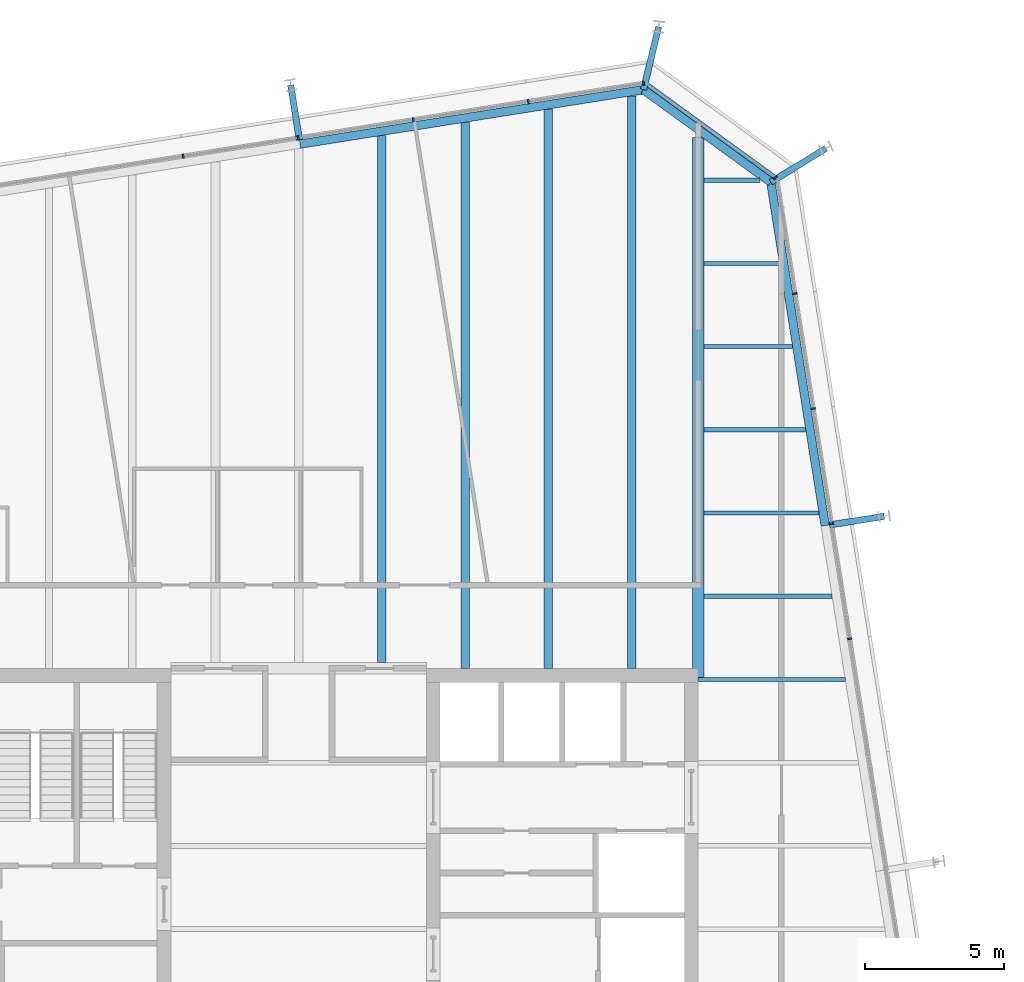
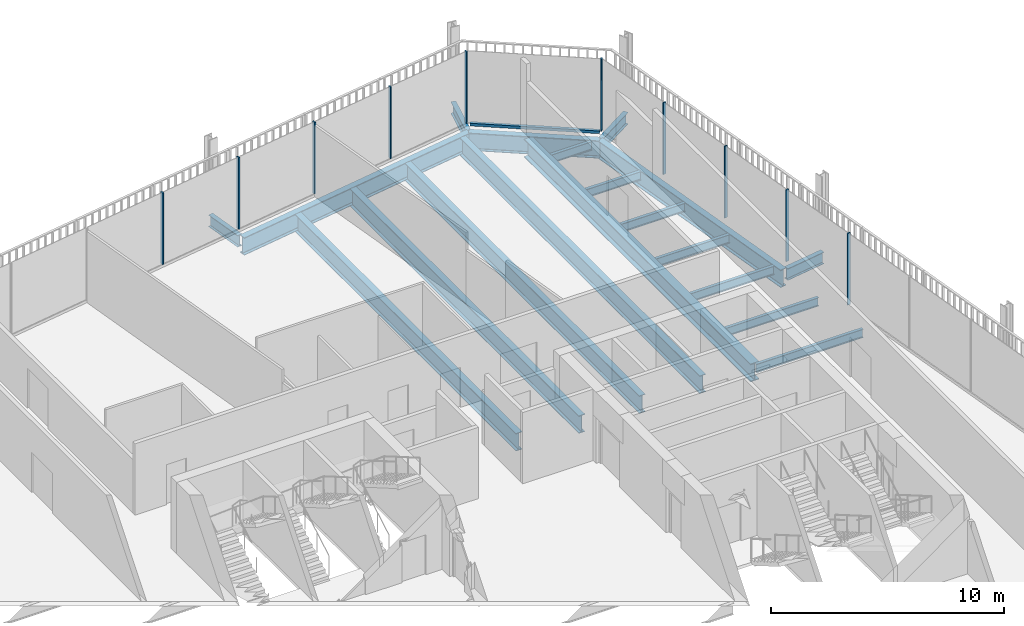
# One storey, part 14 of 20: 19 beams, 11 members, 3 elements without a shape of their own.
"""IFC4 building model written with IfcOpenShell, lengths in metres."""

from ifc_helpers import new_model, si_unit, direction, frame, origin, origin_2d, place, context, subcontext, project, spatial, rectangle, i_section, extrude, material, layer, layer_set, material_profile, profile_set, type_object, element, aggregate, save


model = new_model("IFC4")

# Units and contexts
model_context = context("Model", 3, precision=1e-05, world=origin(), true_north=direction((0.0, 1.0)))
body_context = subcontext(model_context, "Body", "Model", "MODEL_VIEW")
ifc_project = project(units=[si_unit("LENGTHUNIT", "METRE"), si_unit("AREAUNIT", "SQUARE_METRE"), si_unit("VOLUMEUNIT", "CUBIC_METRE"), si_unit("PLANEANGLEUNIT", "RADIAN"), si_unit("MASSUNIT", "GRAM", prefix="KILO")], contexts=[model_context])

# Site, building, storey
site_placement = place(None, origin())
site = spatial("IfcSite", under=ifc_project, at=site_placement, CompositionType="ELEMENT")
building_placement = place(site_placement, origin())
building = spatial("IfcBuilding", under=site, at=building_placement, Name="Millrace Tower", CompositionType="ELEMENT")
storey_placement = place(building_placement, frame((0.0, 0.0, 208.60009765625)))
storey = spatial("IfcBuildingStorey", under=building, at=storey_placement, Name="L47", CompositionType="ELEMENT", Elevation=208.60009765625)

# Curtain wall, members
ifc_material_1 = material(Name="Aluminium and glass", Category="aluminium")
ifc_layer = layer(ifc_material_1, 0.14990234375)
ifc_layer_set = layer_set([ifc_layer], Name="Aluminium and glass")
curtain_wall_type = type_object("IfcCurtainWallType", Name="CW-1 office vision curtain wall", PredefinedType="NOTDEFINED", material=ifc_layer_set)
placement = place(storey_placement, origin())
curtain_wall_1 = element("IfcCurtainWall", 1, at=placement, inside=storey, type_object=curtain_wall_type, Name="Curtain wall D-F04 L47", PredefinedType="NOTDEFINED")
ifc_material_2 = material(Name="Aluminium", Category="aluminium")
ifc_material_profile_1 = material_profile(ifc_material_2, rectangle(XDim=0.06494140625, YDim=0.14990234375, at=origin_2d()))
ifc_profile_set_1 = profile_set([ifc_material_profile_1], Name="Aluminium")
member_type_1 = type_object("IfcMemberType", Name="CW-1 office vision curtain wall mullion", PredefinedType="MULLION", material=ifc_profile_set_1)
member_1_placement = place(storey_placement, frame((19.857421875, 10.466064453125, 0.139892578125), z_axis=(0.0, 0.0, 1.0), x_axis=(-0.156434471884, 0.987688339511, 0.0)))
member_1 = element("IfcMember", 2, at=member_1_placement, type_object=member_type_1, Name="CW1 mullion D-F04.6", PredefinedType="MULLION", context=body_context, shape_type="SweptSolid", body=[
    extrude(rectangle(XDim=0.06494140625, YDim=0.14990234375, at=origin_2d()), origin(), (0.0, 0.0, 1.0), 3.760009765625),
])
member_2_placement = place(storey_placement, frame((19.2001953125, 14.6142578125, 0.139892578125), z_axis=(0.0, 0.0, 1.0), x_axis=(-0.156434471884, 0.987688339511, 0.0)))
member_2 = element("IfcMember", 3, at=member_2_placement, type_object=member_type_1, Name="CW1 mullion D-F04.7", PredefinedType="MULLION", context=body_context, shape_type="SweptSolid", body=[
    extrude(rectangle(XDim=0.06494140625, YDim=0.14990234375, at=origin_2d()), origin(), (0.0, 0.0, 1.0), 3.760009765625),
])
member_3_placement = place(storey_placement, frame((18.543212890625, 18.762451171875, 0.139892578125), z_axis=(0.0, 0.0, 1.0), x_axis=(-0.156434471884, 0.987688339511, 0.0)))
member_3 = element("IfcMember", 4, at=member_3_placement, type_object=member_type_1, Name="CW1 mullion D-F04.8", PredefinedType="MULLION", context=body_context, shape_type="SweptSolid", body=[
    extrude(rectangle(XDim=0.06494140625, YDim=0.14990234375, at=origin_2d()), origin(), (0.0, 0.0, 1.0), 3.760009765625),
])
member_4_placement = place(storey_placement, frame((17.88623046875, 22.910888671875, 0.139892578125), z_axis=(0.0, 0.0, 1.0), x_axis=(-0.156434471884, 0.987688339511, 0.0)))
member_4 = element("IfcMember", 5, at=member_4_placement, type_object=member_type_1, Name="CW1 mullion D-F04.9", PredefinedType="MULLION", context=body_context, shape_type="SweptSolid", body=[
    extrude(rectangle(XDim=0.06494140625, YDim=0.14990234375, at=origin_2d()), origin(), (0.0, 0.0, 1.0), 3.760009765625),
])
aggregate(curtain_wall_1, [member_1, member_2, member_3, member_4])

# Curtain wall, member
curtain_wall_2 = element("IfcCurtainWall", 6, at=placement, inside=storey, type_object=curtain_wall_type, Name="Curtain wall D-F05 L47", PredefinedType="NOTDEFINED")
member_5_placement = place(storey_placement, frame((17.177978515625, 27.094970703125, 0.139892578125), z_axis=(0.0, 0.0, 1.0), x_axis=(-0.809016955361, 0.587785305991, 0.0)))
member_5 = element("IfcMember", 7, at=member_5_placement, type_object=member_type_1, Name="CW1 mullion D-F05.1", PredefinedType="MULLION", context=body_context, shape_type="SweptSolid", body=[
    extrude(rectangle(XDim=0.06494140625, YDim=0.14990234375, at=origin_2d()), origin(), (0.0, 0.0, 1.0), 3.760009765625),
])

# Curtain wall, members
curtain_wall_3 = element("IfcCurtainWall", 8, at=placement, inside=storey, type_object=curtain_wall_type, Name="Curtain wall D-F06 L47", PredefinedType="NOTDEFINED")
member_6_placement = place(storey_placement, frame((12.425537109375, 30.492431640625, 0.139892578125), z_axis=(0.0, 0.0, 1.0), x_axis=(-0.987688339511, -0.156434471884, 0.0)))
member_6 = element("IfcMember", 9, at=member_6_placement, type_object=member_type_1, Name="CW1 mullion D-F06.1", PredefinedType="MULLION", context=body_context, shape_type="SweptSolid", body=[
    extrude(rectangle(XDim=0.06494140625, YDim=0.14990234375, at=origin_2d()), origin(), (0.0, 0.0, 1.0), 3.760009765625),
])
member_7_placement = place(storey_placement, frame((8.277099609375, 29.83544921875, 0.139892578125), z_axis=(0.0, 0.0, 1.0), x_axis=(-0.987688339511, -0.156434471884, 0.0)))
member_7 = element("IfcMember", 10, at=member_7_placement, type_object=member_type_1, Name="CW1 mullion D-F06.2", PredefinedType="MULLION", context=body_context, shape_type="SweptSolid", body=[
    extrude(rectangle(XDim=0.06494140625, YDim=0.14990234375, at=origin_2d()), origin(), (0.0, 0.0, 1.0), 3.760009765625),
])
member_8_placement = place(storey_placement, frame((4.12890625, 29.178466796875, 0.139892578125), z_axis=(0.0, 0.0, 1.0), x_axis=(-0.987688339511, -0.156434471884, 0.0)))
member_8 = element("IfcMember", 11, at=member_8_placement, type_object=member_type_1, Name="CW1 mullion D-F06.3", PredefinedType="MULLION", context=body_context, shape_type="SweptSolid", body=[
    extrude(rectangle(XDim=0.06494140625, YDim=0.14990234375, at=origin_2d()), origin(), (0.0, 0.0, 1.0), 3.760009765625),
])
member_9_placement = place(storey_placement, frame((-0.019287109375, 28.521240234375, 0.139892578125), z_axis=(0.0, 0.0, 1.0), x_axis=(-0.987688339511, -0.156434471884, 0.0)))
member_9 = element("IfcMember", 12, at=member_9_placement, type_object=member_type_1, Name="CW1 mullion D-F06.4", PredefinedType="MULLION", context=body_context, shape_type="SweptSolid", body=[
    extrude(rectangle(XDim=0.06494140625, YDim=0.14990234375, at=origin_2d()), origin(), (0.0, 0.0, 1.0), 3.760009765625),
])
member_10_placement = place(storey_placement, frame((-4.167724609375, 27.8642578125, 0.139892578125), z_axis=(0.0, 0.0, 1.0), x_axis=(-0.987688339511, -0.156434471884, 0.0)))
member_10 = element("IfcMember", 13, at=member_10_placement, type_object=member_type_1, Name="CW1 mullion D-F06.5", PredefinedType="MULLION", context=body_context, shape_type="SweptSolid", body=[
    extrude(rectangle(XDim=0.06494140625, YDim=0.14990234375, at=origin_2d()), origin(), (0.0, 0.0, 1.0), 3.760009765625),
])
aggregate(curtain_wall_3, [member_6, member_7, member_8, member_9, member_10])

# Member
ifc_material_3 = material(Name="Aluminium", Category="aluminium")
ifc_material_profile_2 = material_profile(ifc_material_3, rectangle(XDim=0.14990234375, YDim=0.139892578125, at=origin_2d()))
ifc_profile_set_2 = profile_set([ifc_material_profile_2], Name="Aluminium")
member_type_2 = type_object("IfcMemberType", Name="CW-1 office vision curtain wall transom", PredefinedType="USERDEFINED", material=ifc_profile_set_2)
member_11_placement = place(storey_placement, frame((17.123291015625, 27.134765625, 0.06982421875), z_axis=(-0.809018869857, 0.587782670904, 0.0), x_axis=(-0.587782670904, -0.809018869857, 0.0)))
member_11 = element("IfcMember", 14, at=member_11_placement, type_object=member_type_2, Name="CW1 transom D-F05.1", ObjectType="TRANSOM", PredefinedType="USERDEFINED", context=body_context, shape_type="SweptSolid", body=[
    extrude(rectangle(XDim=0.14990234375, YDim=0.139892578125, at=origin_2d()), origin(), (0.0, 0.0, 1.0), 5.59814453125),
])

aggregate(curtain_wall_2, [member_5, member_11])

# Beams
ifc_material_4 = material(Name="Steel ASTM A992 Grade 50", Category="steel")
ifc_material_profile_3 = material_profile(ifc_material_4, i_section(OverallWidth=0.15234375, OverallDepth=0.449462890625, WebThickness=0.007568359375, FlangeThickness=0.0107421875, FilletRadius=0.01025390625, at=origin_2d()))
ifc_profile_set_3 = profile_set([ifc_material_profile_3], Name="Steel ASTM A992 Grade 50")
beam_type_1 = type_object("IfcBeamType", Name="Floor beam W18x35", PredefinedType="JOIST", material=ifc_profile_set_3)
beam_1_placement = place(storey_placement, frame((14.39990234375, 9.0, -0.384765625), z_axis=(1.0, 0.0, 0.0), x_axis=(0.0, 1.0, 0.0)))
element("IfcBeam", 15, at=beam_1_placement, inside=storey, type_object=beam_type_1, Name="BM-D-L47-S1-S024", PredefinedType="JOIST", context=body_context, shape_type="SweptSolid", body=[
    extrude(i_section(OverallWidth=0.15234375, OverallDepth=0.449462890625, WebThickness=0.007568359375, FlangeThickness=0.0107421875, FilletRadius=0.01025390625, at=origin_2d()), origin(), (0.0, 0.0, 1.0), 5.302490234375),
])
beam_2_placement = place(storey_placement, frame((14.609619140625, 12.0, -0.384765625), z_axis=(1.0, 0.0, 0.0), x_axis=(0.0, 1.0, 0.0)))
element("IfcBeam", 16, at=beam_2_placement, inside=storey, type_object=beam_type_1, Name="BM-D-L47-S1-S026", PredefinedType="JOIST", context=body_context, shape_type="SweptSolid", body=[
    extrude(i_section(OverallWidth=0.15234375, OverallDepth=0.449462890625, WebThickness=0.007568359375, FlangeThickness=0.0107421875, FilletRadius=0.01025390625, at=origin_2d()), origin(), (0.0, 0.0, 1.0), 4.61767578125),
])
beam_3_placement = place(storey_placement, frame((14.609619140625, 15.0, -0.384765625), z_axis=(1.0, 0.0, 0.0), x_axis=(0.0, 1.0, 0.0)))
element("IfcBeam", 17, at=beam_3_placement, inside=storey, type_object=beam_type_1, Name="BM-D-L47-S1-S028", PredefinedType="JOIST", context=body_context, shape_type="SweptSolid", body=[
    extrude(i_section(OverallWidth=0.15234375, OverallDepth=0.449462890625, WebThickness=0.007568359375, FlangeThickness=0.0107421875, FilletRadius=0.01025390625, at=origin_2d()), origin(), (0.0, 0.0, 1.0), 4.142578125),
])
beam_4_placement = place(storey_placement, frame((14.609619140625, 18.0, -0.384765625), z_axis=(1.0, 0.0, 0.0), x_axis=(0.0, 1.0, 0.0)))
element("IfcBeam", 18, at=beam_4_placement, inside=storey, type_object=beam_type_1, Name="BM-D-L47-S1-S030", PredefinedType="JOIST", context=body_context, shape_type="SweptSolid", body=[
    extrude(i_section(OverallWidth=0.15234375, OverallDepth=0.449462890625, WebThickness=0.007568359375, FlangeThickness=0.0107421875, FilletRadius=0.01025390625, at=origin_2d()), origin(), (0.0, 0.0, 1.0), 3.667236328125),
])
beam_5_placement = place(storey_placement, frame((14.609619140625, 21.0, -0.384765625), z_axis=(1.0, 0.0, 0.0), x_axis=(0.0, 1.0, 0.0)))
element("IfcBeam", 19, at=beam_5_placement, inside=storey, type_object=beam_type_1, Name="BM-D-L47-S1-S032", PredefinedType="JOIST", context=body_context, shape_type="SweptSolid", body=[
    extrude(i_section(OverallWidth=0.15234375, OverallDepth=0.449462890625, WebThickness=0.007568359375, FlangeThickness=0.0107421875, FilletRadius=0.01025390625, at=origin_2d()), origin(), (0.0, 0.0, 1.0), 3.192138671875),
])
beam_6_placement = place(storey_placement, frame((14.609619140625, 24.0, -0.384765625), z_axis=(1.0, 0.0, 0.0), x_axis=(0.0, 1.0, 0.0)))
element("IfcBeam", 20, at=beam_6_placement, inside=storey, type_object=beam_type_1, Name="BM-D-L47-S1-S034", PredefinedType="JOIST", context=body_context, shape_type="SweptSolid", body=[
    extrude(i_section(OverallWidth=0.15234375, OverallDepth=0.449462890625, WebThickness=0.007568359375, FlangeThickness=0.0107421875, FilletRadius=0.01025390625, at=origin_2d()), origin(), (0.0, 0.0, 1.0), 2.717041015625),
])
beam_7_placement = place(storey_placement, frame((14.609619140625, 27.0, -0.384765625), z_axis=(1.0, 0.0, 0.0), x_axis=(0.0, 1.0, 0.0)))
element("IfcBeam", 21, at=beam_7_placement, inside=storey, type_object=beam_type_1, Name="BM-D-L47-S1-S035", PredefinedType="JOIST", context=body_context, shape_type="SweptSolid", body=[
    extrude(i_section(OverallWidth=0.15234375, OverallDepth=0.449462890625, WebThickness=0.007568359375, FlangeThickness=0.0107421875, FilletRadius=0.01025390625, at=origin_2d()), origin(), (0.0, 0.0, 1.0), 2.020751953125),
])
ifc_material_5 = material(Name="Steel ASTM A992 Grade 50", Category="steel")
ifc_material_profile_4 = material_profile(ifc_material_5, i_section(OverallWidth=0.307373046875, OverallDepth=0.927001953125, WebThickness=0.01953125, FlangeThickness=0.031982421875, FilletRadius=0.01904296875, at=origin_2d()))
ifc_profile_set_4 = profile_set([ifc_material_profile_4], Name="Steel ASTM A992 Grade 50")
beam_type_2 = type_object("IfcBeamType", Name="Floor beam W36x194", PredefinedType="JOIST", material=ifc_profile_set_4)
beam_8_placement = place(storey_placement, frame((3.0, 9.609619140625, -0.62353515625), z_axis=(0.0, 1.0, 0.0), x_axis=(-1.0, 0.0, 0.0)))
element("IfcBeam", 22, at=beam_8_placement, inside=storey, type_object=beam_type_2, Name="BM-D-L47-S1-S046", PredefinedType="JOIST", context=body_context, shape_type="SweptSolid", body=[
    extrude(i_section(OverallWidth=0.307373046875, OverallDepth=0.927001953125, WebThickness=0.01953125, FlangeThickness=0.031982421875, FilletRadius=0.01904296875, at=origin_2d()), origin(), (0.0, 0.0, 1.0), 19.0029296875),
])
beam_9_placement = place(storey_placement, frame((6.0, 9.39990234375, -0.62353515625), z_axis=(0.0, 1.0, 0.0), x_axis=(-1.0, 0.0, 0.0)))
element("IfcBeam", 23, at=beam_9_placement, inside=storey, type_object=beam_type_2, Name="BM-D-L47-S1-S048", PredefinedType="JOIST", context=body_context, shape_type="SweptSolid", body=[
    extrude(i_section(OverallWidth=0.307373046875, OverallDepth=0.927001953125, WebThickness=0.01953125, FlangeThickness=0.031982421875, FilletRadius=0.01904296875, at=origin_2d()), origin(), (0.0, 0.0, 1.0), 19.687744140625),
])
beam_10_placement = place(storey_placement, frame((9.0, 9.39990234375, -0.62353515625), z_axis=(0.0, 1.0, 0.0), x_axis=(-1.0, 0.0, 0.0)))
element("IfcBeam", 24, at=beam_10_placement, inside=storey, type_object=beam_type_2, Name="BM-D-L47-S1-S050", PredefinedType="JOIST", context=body_context, shape_type="SweptSolid", body=[
    extrude(i_section(OverallWidth=0.307373046875, OverallDepth=0.927001953125, WebThickness=0.01953125, FlangeThickness=0.031982421875, FilletRadius=0.01904296875, at=origin_2d()), origin(), (0.0, 0.0, 1.0), 20.162841796875),
])
beam_11_placement = place(storey_placement, frame((12.0, 9.39990234375, -0.62353515625), z_axis=(0.0, 1.0, 0.0), x_axis=(-1.0, 0.0, 0.0)))
element("IfcBeam", 25, at=beam_11_placement, inside=storey, type_object=beam_type_2, Name="BM-D-L47-S1-S052", PredefinedType="JOIST", context=body_context, shape_type="SweptSolid", body=[
    extrude(i_section(OverallWidth=0.307373046875, OverallDepth=0.927001953125, WebThickness=0.01953125, FlangeThickness=0.031982421875, FilletRadius=0.01904296875, at=origin_2d()), origin(), (0.0, 0.0, 1.0), 20.637939453125),
])
ifc_material_6 = material(Name="Steel ASTM A992 Grade 50", Category="steel")
ifc_material_profile_5 = material_profile(ifc_material_6, i_section(OverallWidth=0.424072265625, OverallDepth=0.947509765625, WebThickness=0.02392578125, FlangeThickness=0.042724609375, FilletRadius=0.024169921875, at=origin_2d()))
ifc_profile_set_5 = profile_set([ifc_material_profile_5], Name="Steel ASTM A992 Grade 50")
beam_type_3 = type_object("IfcBeamType", Name="Girder medium span W36x302", PredefinedType="BEAM", material=ifc_profile_set_5)
beam_12_placement = place(storey_placement, frame((14.39990234375, 9.080078125, -0.6337890625), z_axis=(0.0, 1.0, 0.0), x_axis=(-1.0, 0.0, 0.0)))
element("IfcBeam", 26, at=beam_12_placement, inside=storey, type_object=beam_type_3, Name="BM-D-L47-S1-G056", PredefinedType="BEAM", context=body_context, shape_type="SweptSolid", body=[
    extrude(i_section(OverallWidth=0.424072265625, OverallDepth=0.947509765625, WebThickness=0.02392578125, FlangeThickness=0.042724609375, FilletRadius=0.024169921875, at=origin_2d()), origin(), (0.0, 0.0, 1.0), 19.460693359375),
])
ifc_material_7 = material(Name="Steel ASTM A992 Grade 50", Category="steel")
ifc_material_profile_6 = material_profile(ifc_material_7, i_section(OverallWidth=0.23046875, OverallDepth=0.6171875, WebThickness=0.01318359375, FlangeThickness=0.022216796875, FilletRadius=0.012939453125, at=origin_2d()))
ifc_profile_set_6 = profile_set([ifc_material_profile_6], Name="Steel ASTM A992 Grade 50")
beam_type_4 = type_object("IfcBeamType", Name="Link beam W24x94", PredefinedType="BEAM", material=ifc_profile_set_6)
beam_13_placement = place(storey_placement, frame((0.0244140625, 28.452392578125, -0.46875), z_axis=(-0.15637629034, 0.987697552806, 0.0), x_axis=(-0.987697552806, -0.15637629034, 0.0)))
element("IfcBeam", 27, at=beam_13_placement, inside=storey, type_object=beam_type_4, Name="LNK-D-L47-S1-07", PredefinedType="BEAM", context=body_context, shape_type="SweptSolid", body=[
    extrude(i_section(OverallWidth=0.23046875, OverallDepth=0.6171875, WebThickness=0.01318359375, FlangeThickness=0.022216796875, FilletRadius=0.012939453125, at=origin_2d()), origin(), (0.0, 0.0, 1.0), 2.0),
])
beam_14_placement = place(storey_placement, frame((12.430419921875, 30.26171875, -0.46875), z_axis=(0.233456138164, 0.972367333652, 0.0), x_axis=(-0.972367333652, 0.233456138164, 0.0)))
element("IfcBeam", 28, at=beam_14_placement, inside=storey, type_object=beam_type_4, Name="LNK-D-L47-S1-08", PredefinedType="BEAM", context=body_context, shape_type="SweptSolid", body=[
    extrude(i_section(OverallWidth=0.23046875, OverallDepth=0.6171875, WebThickness=0.01318359375, FlangeThickness=0.022216796875, FilletRadius=0.012939453125, at=origin_2d()), origin(), (0.0, 0.0, 1.0), 2.3310546875),
])
beam_15_placement = place(storey_placement, frame((17.018310546875, 26.928466796875, -0.46875), z_axis=(0.852659946142, 0.5224662824, 0.0), x_axis=(-0.5224662824, 0.852659946142, 0.0)))
element("IfcBeam", 29, at=beam_15_placement, inside=storey, type_object=beam_type_4, Name="LNK-D-L47-S1-09", PredefinedType="BEAM", context=body_context, shape_type="SweptSolid", body=[
    extrude(i_section(OverallWidth=0.23046875, OverallDepth=0.6171875, WebThickness=0.01318359375, FlangeThickness=0.022216796875, FilletRadius=0.012939453125, at=origin_2d()), origin(), (0.0, 0.0, 1.0), 2.331298828125),
])
beam_16_placement = place(storey_placement, frame((19.13134765625, 14.5703125, -0.46875), z_axis=(0.987678691416, 0.156495375404, 0.0), x_axis=(-0.156495375404, 0.987678691416, 0.0)))
element("IfcBeam", 30, at=beam_16_placement, inside=storey, type_object=beam_type_4, Name="LNK-D-L47-S1-10", PredefinedType="BEAM", context=body_context, shape_type="SweptSolid", body=[
    extrude(i_section(OverallWidth=0.23046875, OverallDepth=0.6171875, WebThickness=0.01318359375, FlangeThickness=0.022216796875, FilletRadius=0.012939453125, at=origin_2d()), origin(), (0.0, 0.0, 1.0), 2.0),
])
ifc_material_8 = material(Name="Steel ASTM A992 Grade 50", Category="steel")
ifc_material_profile_7 = material_profile(ifc_material_8, i_section(OverallWidth=0.307373046875, OverallDepth=0.927001953125, WebThickness=0.01953125, FlangeThickness=0.031982421875, FilletRadius=0.01904296875, at=origin_2d()))
ifc_profile_set_7 = profile_set([ifc_material_profile_7], Name="Steel ASTM A992 Grade 50")
beam_type_5 = type_object("IfcBeamType", Name="Ring beam medium span W36x194", PredefinedType="SPANDREL", material=ifc_profile_set_7)
beam_17_placement = place(storey_placement, frame((0.048583984375, 28.300537109375, -0.62353515625), z_axis=(0.987687213011, 0.156441584157, 0.0), x_axis=(-0.156441584157, 0.987687213011, 0.0)))
element("IfcBeam", 31, at=beam_17_placement, inside=storey, type_object=beam_type_5, Name="RNG-D-L47-S1-07", PredefinedType="SPANDREL", context=body_context, shape_type="SweptSolid", body=[
    extrude(i_section(OverallWidth=0.307373046875, OverallDepth=0.927001953125, WebThickness=0.01953125, FlangeThickness=0.031982421875, FilletRadius=0.01904296875, at=origin_2d()), origin(), (0.0, 0.0, 1.0), 12.5361328125),
])
beam_18_placement = place(storey_placement, frame((17.018310546875, 26.928466796875, -0.62353515625), z_axis=(0.156438575049, -0.987687689625, 0.0), x_axis=(0.987687689625, 0.156438575049, 0.0)))
element("IfcBeam", 32, at=beam_18_placement, inside=storey, type_object=beam_type_5, Name="RNG-D-L47-S1-09", PredefinedType="SPANDREL", context=body_context, shape_type="SweptSolid", body=[
    extrude(i_section(OverallWidth=0.307373046875, OverallDepth=0.927001953125, WebThickness=0.01953125, FlangeThickness=0.031982421875, FilletRadius=0.01904296875, at=origin_2d()), origin(), (0.0, 0.0, 1.0), 12.536376953125),
])
ifc_material_9 = material(Name="Steel ASTM A992 Grade 50", Category="steel")
ifc_material_profile_8 = material_profile(ifc_material_9, i_section(OverallWidth=0.307373046875, OverallDepth=0.927001953125, WebThickness=0.01953125, FlangeThickness=0.031982421875, FilletRadius=0.01904296875, at=origin_2d()))
ifc_profile_set_8 = profile_set([ifc_material_profile_8], Name="Steel ASTM A992 Grade 50")
beam_type_6 = type_object("IfcBeamType", Name="Ring beam short span W36x194", PredefinedType="SPANDREL", material=ifc_profile_set_8)
beam_19_placement = place(storey_placement, frame((12.430419921875, 30.26171875, -0.62353515625), z_axis=(0.80902082646, -0.587779977844, 0.0), x_axis=(0.587779977844, 0.80902082646, 0.0)))
element("IfcBeam", 33, at=beam_19_placement, inside=storey, type_object=beam_type_6, Name="RNG-D-L47-S1-08", PredefinedType="SPANDREL", context=body_context, shape_type="SweptSolid", body=[
    extrude(i_section(OverallWidth=0.307373046875, OverallDepth=0.927001953125, WebThickness=0.01953125, FlangeThickness=0.031982421875, FilletRadius=0.01904296875, at=origin_2d()), origin(), (0.0, 0.0, 1.0), 5.6708984375),
])

save(model, "model.ifc")
